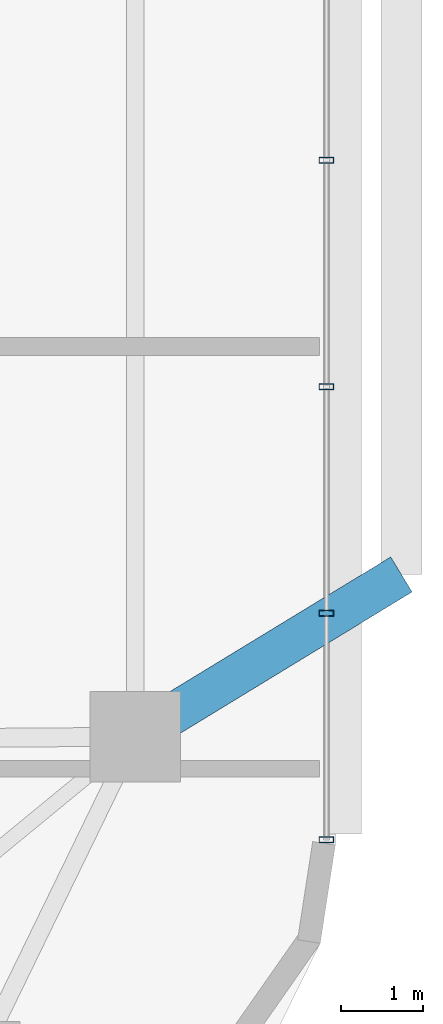
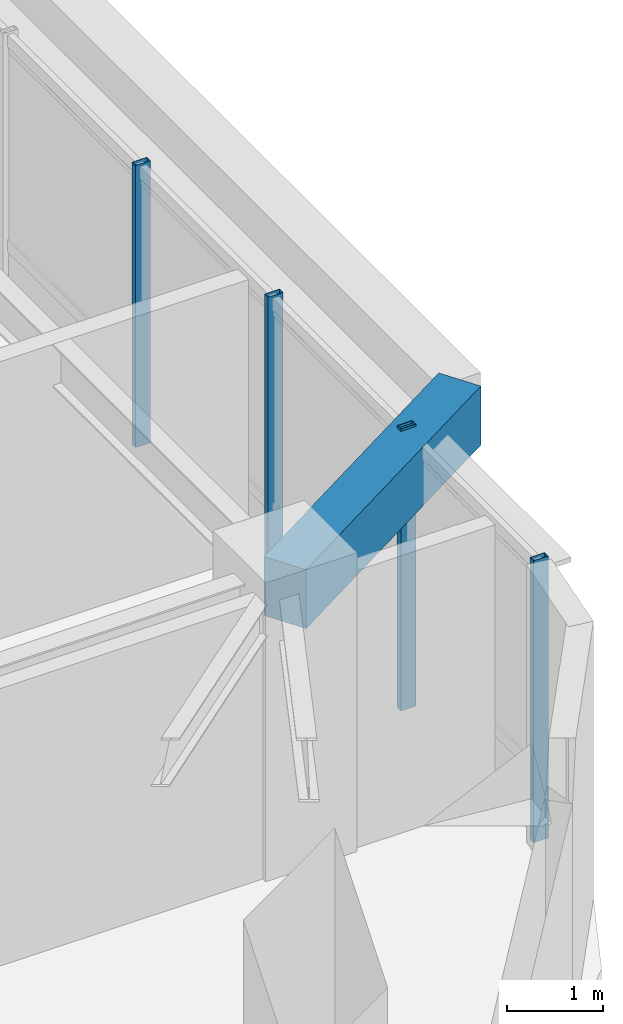
# One storey, part 2 of 13: 4 members, 1 beam, 1 element without a shape of its own.
"""IFC4 building model written with IfcOpenShell, lengths in metres."""

from ifc_helpers import new_model, si_unit, direction, frame, origin, origin_2d, place, context, subcontext, project, spatial, rectangle, hollow_rectangle, extrude, material, material_profile, profile_set, type_object, element, aggregate, save


model = new_model("IFC4")

# Units and contexts
model_context = context("Model", 3, precision=1e-05, world=origin(), true_north=direction((0.0, 1.0)))
body_context = subcontext(model_context, "Body", "Model", "MODEL_VIEW")
ifc_project = project(units=[si_unit("LENGTHUNIT", "METRE"), si_unit("AREAUNIT", "SQUARE_METRE"), si_unit("VOLUMEUNIT", "CUBIC_METRE"), si_unit("PLANEANGLEUNIT", "RADIAN"), si_unit("MASSUNIT", "GRAM", prefix="KILO")], contexts=[model_context])

# Site, building, storey
site_placement = place(None, origin())
site = spatial("IfcSite", under=ifc_project, at=site_placement, CompositionType="ELEMENT")
building_placement = place(site_placement, origin())
building = spatial("IfcBuilding", under=site, at=building_placement, Name="Zulverin Broadcast Headquarters", CompositionType="ELEMENT")
storey_placement = place(building_placement, frame((0.0, 0.0, 108.60009765625)))
storey = spatial("IfcBuildingStorey", under=building, at=storey_placement, Name="L27", CompositionType="ELEMENT", Elevation=108.60009765625)

# Beam
ifc_material_1 = material(Name="Concrete C40/50", Category="concrete")
ifc_material_profile_1 = material_profile(ifc_material_1, rectangle(XDim=0.5, YDim=0.75, at=origin_2d()), Name="Concrete C40/50", Category="concrete")
ifc_profile_set_1 = profile_set([ifc_material_profile_1], Name="Concrete C40/50")
beam_type = type_object("IfcBeamType", Name="BM-RC-500x750", PredefinedType="BEAM", material=ifc_profile_set_1)
beam_placement = place(storey_placement, frame((63.75, 17.439697265625, 3.14990234375), z_axis=(0.853769010652, 0.520651972483, 0.0), x_axis=(-0.520651972483, 0.853769010652, 0.0)))
element("IfcBeam", 1, at=beam_placement, inside=storey, type_object=beam_type, Name="L28 Balcony Column-Framed Cantilever BAL_E-1", PredefinedType="BEAM", context=body_context, shape_type="SweptSolid", body=[
    extrude(rectangle(XDim=0.5, YDim=0.75, at=origin_2d()), origin(), (0.0, 0.0, 1.0), 3.800048828125),
])

# Curtain wall, members
ifc_material_2 = material(Name="Low-zone ribbon unitised curtain wall", Category="aluminium")
curtain_wall_type = type_object("IfcCurtainWallType", Name="CW-TWR-LOW", PredefinedType="USERDEFINED", material=ifc_material_2)
curtain_wall_placement = place(storey_placement, origin())
curtain_wall = element("IfcCurtainWall", 2, at=curtain_wall_placement, inside=storey, type_object=curtain_wall_type, Name="L27 Unitised Curtain Wall CW-L27-E3", ObjectType="UNITISED CURTAIN WALL", PredefinedType="USERDEFINED")
ifc_material_3 = material(Name="Anodized pale-metal aluminium alloy 6063-T6", Category="aluminium")
ifc_material_profile_2 = material_profile(ifc_material_3, hollow_rectangle(XDim=0.074951171875, YDim=0.179931640625, WallThickness=0.0048828125, at=origin_2d()), Name="Anodized pale-metal aluminium alloy 6063-T6", Category="aluminium")
ifc_profile_set_2 = profile_set([ifc_material_profile_2], Name="Anodized pale-metal aluminium alloy 6063-T6")
member_type = type_object("IfcMemberType", Name="CW-MUL-180", PredefinedType="MULLION", material=ifc_profile_set_2)
member_1_placement = place(storey_placement, frame((66.080078125, 16.183349609375, -0.030029296875), z_axis=(0.0, 0.0, 1.0), x_axis=(0.0, 1.0, 0.0)))
member_1 = element("IfcMember", 3, at=member_1_placement, type_object=member_type, Name="CW-L27-E3 Mullion 00", PredefinedType="MULLION", context=body_context, shape_type="SweptSolid", body=[
    extrude(hollow_rectangle(XDim=0.074951171875, YDim=0.179931640625, WallThickness=0.0048828125, at=origin_2d()), origin(), (0.0, 0.0, 1.0), 3.5849609375),
])
member_2_placement = place(storey_placement, frame((66.080078125, 18.945068359375, -0.030029296875), z_axis=(0.0, 0.0, 1.0), x_axis=(0.0, 1.0, 0.0)))
member_2 = element("IfcMember", 4, at=member_2_placement, type_object=member_type, Name="CW-L27-E3 Mullion 01", PredefinedType="MULLION", context=body_context, shape_type="SweptSolid", body=[
    extrude(hollow_rectangle(XDim=0.074951171875, YDim=0.179931640625, WallThickness=0.0048828125, at=origin_2d()), origin(), (0.0, 0.0, 1.0), 3.5849609375),
])
member_3_placement = place(storey_placement, frame((66.080078125, 21.70654296875, -0.030029296875), z_axis=(0.0, 0.0, 1.0), x_axis=(0.0, 1.0, 0.0)))
member_3 = element("IfcMember", 5, at=member_3_placement, type_object=member_type, Name="CW-L27-E3 Mullion 02", PredefinedType="MULLION", context=body_context, shape_type="SweptSolid", body=[
    extrude(hollow_rectangle(XDim=0.074951171875, YDim=0.179931640625, WallThickness=0.0048828125, at=origin_2d()), origin(), (0.0, 0.0, 1.0), 3.5849609375),
])
member_4_placement = place(storey_placement, frame((66.080078125, 24.46826171875, -0.030029296875), z_axis=(0.0, 0.0, 1.0), x_axis=(0.0, 1.0, 0.0)))
member_4 = element("IfcMember", 6, at=member_4_placement, type_object=member_type, Name="CW-L27-E3 Mullion 03", PredefinedType="MULLION", context=body_context, shape_type="SweptSolid", body=[
    extrude(hollow_rectangle(XDim=0.074951171875, YDim=0.179931640625, WallThickness=0.0048828125, at=origin_2d()), origin(), (0.0, 0.0, 1.0), 3.5849609375),
])
aggregate(curtain_wall, [member_1, member_2, member_3, member_4])

save(model, "model.ifc")
